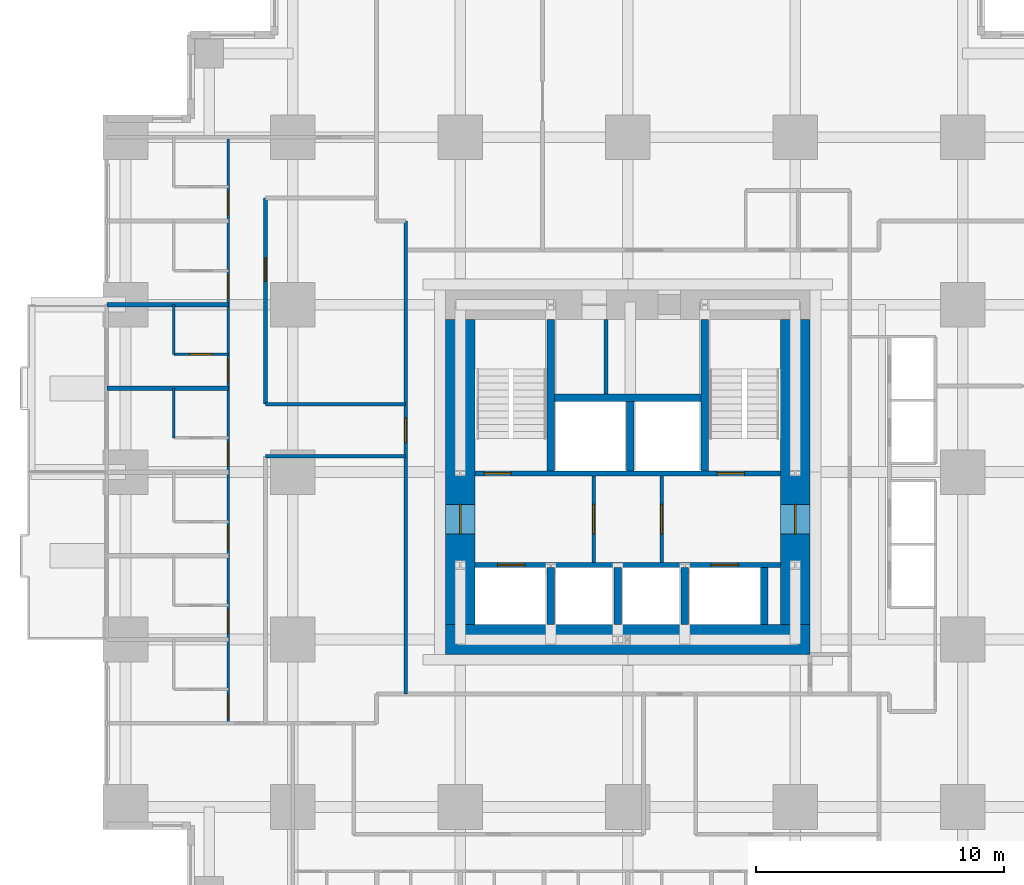
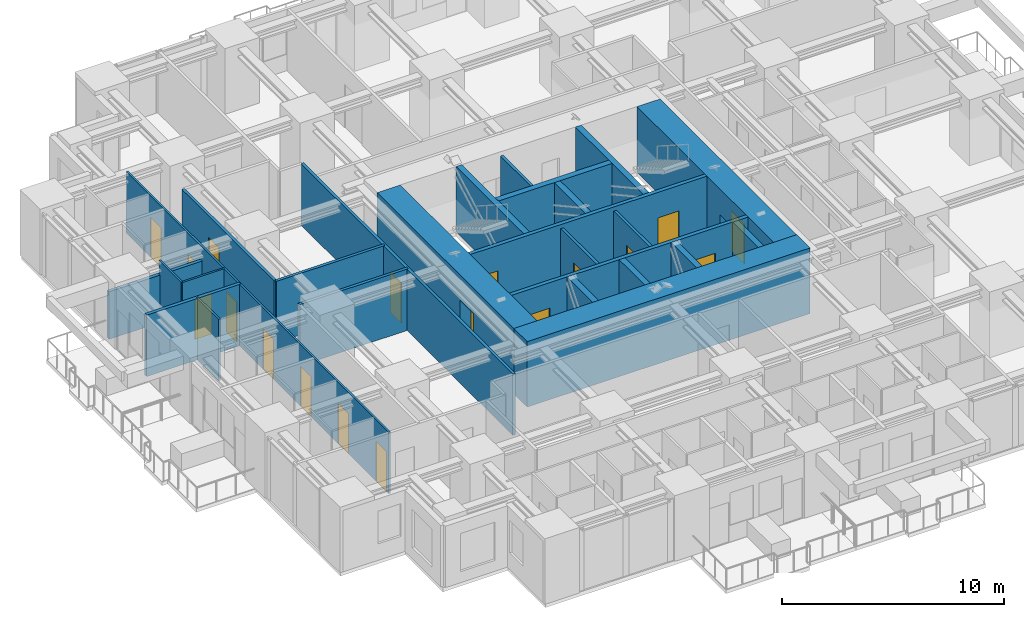
# One storey, part 8 of 13: 26 walls, 18 doors, 18 openings.
"""IFC4 building model written with IfcOpenShell, lengths in metres."""

from ifc_helpers import new_model, si_unit, direction, frame, frame_2d, origin, place, context, subcontext, project, spatial, rectangle, extrude, material, layer, layer_set, type_object, element, fill, save


model = new_model("IFC4")

# Units and contexts
model_context = context("Model", 3, precision=1e-05, world=origin(), true_north=direction((0.0, 1.0)))
body_context = subcontext(model_context, "Body", "Model", "MODEL_VIEW")
ifc_project = project(units=[si_unit("LENGTHUNIT", "METRE"), si_unit("AREAUNIT", "SQUARE_METRE"), si_unit("VOLUMEUNIT", "CUBIC_METRE"), si_unit("PLANEANGLEUNIT", "RADIAN"), si_unit("MASSUNIT", "GRAM", prefix="KILO")], contexts=[model_context])

# Site, building, storey
site_placement = place(None, origin())
site = spatial("IfcSite", under=ifc_project, at=site_placement, CompositionType="ELEMENT")
building_placement = place(site_placement, origin())
building = spatial("IfcBuilding", under=site, at=building_placement, Name="Nyansa Garden Tower", CompositionType="ELEMENT")
storey_placement = place(building_placement, frame((0.0, 0.0, 46.800048828125)))
storey = spatial("IfcBuildingStorey", under=building, at=storey_placement, Name="L12", CompositionType="ELEMENT", Elevation=46.800048828125)

# Walls
ifc_material_1 = material(Name="Dense blockwork, plastered both sides, 55 dB", Category="masonry")
ifc_layer_1 = layer(ifc_material_1, 0.175048828125)
ifc_layer_set_1 = layer_set([ifc_layer_1], Name="Acoustic party wall PW175")
wall_type_1 = type_object("IfcWallType", Name="Acoustic party wall PW175", PredefinedType="PARTITIONING", material=ifc_layer_set_1)
wall_1_placement = place(storey_placement, frame((-0.73388671875, 23.625, 0.0), z_axis=(0.0, 0.0, 1.0), x_axis=(1.0, 0.0, 0.0)))
element("IfcWall", 1, at=wall_1_placement, inside=storey, type_object=wall_type_1, Name="Party wall", PredefinedType="PARTITIONING", context=body_context, shape_type="SweptSolid", body=[
    extrude(rectangle(XDim=4.8837890625, YDim=0.175048828125, at=frame_2d((2.44189453125, 0.0))), origin(), (0.0, 0.0, 1.0), 3.375),
])
wall_2_placement = place(storey_placement, frame((-0.73388671875, 27.0, 0.0), z_axis=(0.0, 0.0, 1.0), x_axis=(1.0, 0.0, 0.0)))
element("IfcWall", 2, at=wall_2_placement, inside=storey, type_object=wall_type_1, Name="Party wall", PredefinedType="PARTITIONING", context=body_context, shape_type="SweptSolid", body=[
    extrude(rectangle(XDim=4.8837890625, YDim=0.175048828125, at=frame_2d((2.44189453125, 0.0))), origin(), (0.0, 0.0, 1.0), 2.60986328125),
])

# Wall, openings, doors
ifc_material_2 = material(Name="Concrete C70/85", Category="concrete")
ifc_layer_2 = layer(ifc_material_2, 0.199951171875)
ifc_layer_set_2 = layer_set([ifc_layer_2], Name="Core inner wall CI200")
wall_type_2 = type_object("IfcWallType", Name="Core inner wall CI200", PredefinedType="SHEAR", material=ifc_layer_set_2)
wall_3_placement = place(storey_placement, frame((14.10009765625, 16.5, 0.0), z_axis=(0.0, 0.0, 1.0), x_axis=(1.0, 0.0, 0.0)))
wall_3 = element("IfcWall", 3, at=wall_3_placement, inside=storey, type_object=wall_type_2, Name="Core inner wall L12", PredefinedType="SHEAR", context=body_context, shape_type="SweptSolid", body=[
    extrude(rectangle(XDim=12.2998046875, YDim=0.199951171875, at=frame_2d((6.14990234375, 0.0))), origin(), (0.0, 0.0, 1.0), 3.599853515625),
])
opening_1_placement = place(wall_3_placement, frame((0.89990234375, 0.0, 0.0)))
opening_1 = element("IfcOpeningElement", 4, at=opening_1_placement, cuts=wall_3, Name="Opening LD-F", PredefinedType="OPENING", context=body_context, shape_type="SweptSolid", body=[
    extrude(rectangle(XDim=1.10009765625, YDim=2.199951171875, at=frame_2d((0.550048828125, 1.10009765625))), frame((0.0, 0.10986328125, 0.0), z_axis=(0.0, -1.0, 0.0), x_axis=(1.0, 0.0, 0.0)), (0.0, 0.0, 1.0), 0.219970703125),
])
opening_2_placement = place(wall_3_placement, frame((9.5, 0.0, 0.0)))
opening_2 = element("IfcOpeningElement", 5, at=opening_2_placement, cuts=wall_3, Name="Opening LD-F", PredefinedType="OPENING", context=body_context, shape_type="SweptSolid", body=[
    extrude(rectangle(XDim=1.10009765625, YDim=2.199951171875, at=frame_2d((0.550048828125, 1.10009765625))), frame((0.0, 0.10986328125, 0.0), z_axis=(0.0, -1.0, 0.0), x_axis=(1.0, 0.0, 0.0)), (0.0, 0.0, 1.0), 0.219970703125),
])
ifc_material_3 = material(Name="Stainless steel centre-opening landing door of the firefighting lift, EN 81-72, E 120", Category="steel")
door_type_1 = type_object("IfcDoorType", Name="Lift landing door LD-F 1100x2200", OperationType="DOUBLE_DOOR_SLIDING", PredefinedType="DOOR", material=ifc_material_3)
door_1_placement = place(opening_1_placement, origin())
door_1 = element("IfcDoor", 6, at=door_1_placement, inside=storey, type_object=door_type_1, Name="Landing door FF1", OperationType="DOUBLE_DOOR_SLIDING", OverallHeight=2.199951171875, OverallWidth=1.10009765625, PredefinedType="DOOR", context=body_context, shape_type="SweptSolid", body=[
    extrude(rectangle(XDim=1.10009765625, YDim=2.199951171875, at=frame_2d((0.550048828125, 1.10009765625))), frame((0.0, 0.02490234375, 0.0), z_axis=(0.0, -1.0, 0.0), x_axis=(1.0, 0.0, 0.0)), (0.0, 0.0, 1.0), 0.050048828125),
])
fill(opening_1, door_1)
door_2_placement = place(opening_2_placement, origin())
door_2 = element("IfcDoor", 7, at=door_2_placement, inside=storey, type_object=door_type_1, Name="Landing door FF2", OperationType="DOUBLE_DOOR_SLIDING", OverallHeight=2.199951171875, OverallWidth=1.10009765625, PredefinedType="DOOR", context=body_context, shape_type="SweptSolid", body=[
    extrude(rectangle(XDim=1.10009765625, YDim=2.199951171875, at=frame_2d((0.550048828125, 1.10009765625))), frame((0.0, 0.02490234375, 0.0), z_axis=(0.0, -1.0, 0.0), x_axis=(1.0, 0.0, 0.0)), (0.0, 0.0, 1.0), 0.050048828125),
])
fill(opening_2, door_2)

wall_4_placement = place(storey_placement, frame((14.10009765625, 20.199951171875, 0.0), z_axis=(0.0, 0.0, 1.0), x_axis=(1.0, 0.0, 0.0)))
wall_4 = element("IfcWall", 8, at=wall_4_placement, inside=storey, type_object=wall_type_2, Name="Core inner wall L12", PredefinedType="SHEAR", context=body_context, shape_type="SweptSolid", body=[
    extrude(rectangle(XDim=12.2998046875, YDim=0.199951171875, at=frame_2d((6.14990234375, 0.0))), origin(), (0.0, 0.0, 1.0), 3.599853515625),
])
opening_3_placement = place(wall_4_placement, frame((0.35009765625, 0.0, 0.0)))
opening_3 = element("IfcOpeningElement", 9, at=opening_3_placement, cuts=wall_4, Name="Opening D05", PredefinedType="OPENING", context=body_context, shape_type="SweptSolid", body=[
    extrude(rectangle(XDim=1.10009765625, YDim=2.199951171875, at=frame_2d((0.550048828125, 1.10009765625))), frame((0.0, 0.10986328125, 0.0), z_axis=(0.0, -1.0, 0.0), x_axis=(1.0, 0.0, 0.0)), (0.0, 0.0, 1.0), 0.219970703125),
])
opening_4_placement = place(wall_4_placement, frame((9.75, 0.0, 0.0)))
opening_4 = element("IfcOpeningElement", 10, at=opening_4_placement, cuts=wall_4, Name="Opening D05", PredefinedType="OPENING", context=body_context, shape_type="SweptSolid", body=[
    extrude(rectangle(XDim=1.10009765625, YDim=2.199951171875, at=frame_2d((0.550048828125, 1.10009765625))), frame((0.0, 0.10986328125, 0.0), z_axis=(0.0, -1.0, 0.0), x_axis=(1.0, 0.0, 0.0)), (0.0, 0.0, 1.0), 0.219970703125),
])
ifc_material_4 = material(Name="Steel door, 120 minute fire resisting", Category="steel")
door_type_2 = type_object("IfcDoorType", Name="Stair door D05 1100x2200", OperationType="SINGLE_SWING_LEFT", PredefinedType="DOOR", material=ifc_material_4)
door_3_placement = place(opening_3_placement, origin())
door_3 = element("IfcDoor", 11, at=door_3_placement, inside=storey, type_object=door_type_2, Name="Stair S1 door", OperationType="SINGLE_SWING_LEFT", OverallHeight=2.199951171875, OverallWidth=1.10009765625, PredefinedType="DOOR", context=body_context, shape_type="SweptSolid", body=[
    extrude(rectangle(XDim=1.10009765625, YDim=2.199951171875, at=frame_2d((0.550048828125, 1.10009765625))), frame((0.0, 0.02490234375, 0.0), z_axis=(0.0, -1.0, 0.0), x_axis=(1.0, 0.0, 0.0)), (0.0, 0.0, 1.0), 0.050048828125),
])
fill(opening_3, door_3)
door_4_placement = place(opening_4_placement, origin())
door_4 = element("IfcDoor", 12, at=door_4_placement, inside=storey, type_object=door_type_2, Name="Stair S2 door", OperationType="SINGLE_SWING_LEFT", OverallHeight=2.199951171875, OverallWidth=1.10009765625, PredefinedType="DOOR", context=body_context, shape_type="SweptSolid", body=[
    extrude(rectangle(XDim=1.10009765625, YDim=2.199951171875, at=frame_2d((0.550048828125, 1.10009765625))), frame((0.0, 0.02490234375, 0.0), z_axis=(0.0, -1.0, 0.0), x_axis=(1.0, 0.0, 0.0)), (0.0, 0.0, 1.0), 0.050048828125),
])
fill(opening_4, door_4)

# Walls
ifc_material_5 = material(Name="Concrete C70/85", Category="concrete")
ifc_layer_3 = layer(ifc_material_5, 0.300048828125)
ifc_layer_set_3 = layer_set([ifc_layer_3], Name="Core inner wall CI300")
wall_type_3 = type_object("IfcWallType", Name="Core inner wall CI300", PredefinedType="SHEAR", material=ifc_layer_set_3)
for number, where, z_axis, x_axis, name in (
    (13, (17.14990234375, 20.300048828125, 0.0), (0.0, 0.0, 1.0), (0.0, 1.0, 0.0), "Core inner wall L12"),
    (14, (23.35009765625, 20.300048828125, 0.0), (0.0, 0.0, 1.0), (0.0, 1.0, 0.0), "Core inner wall L12"),
):
    element("IfcWall", number, at=place(storey_placement, frame(where, z_axis=z_axis, x_axis=x_axis)), inside=storey, type_object=wall_type_3, Name=name, PredefinedType="SHEAR", context=body_context, shape_type="SweptSolid", body=[
        extrude(rectangle(XDim=6.099853515625, YDim=0.300048828125, at=frame_2d((3.0498046875, 0.0))), origin(), (0.0, 0.0, 1.0), 3.599853515625),
    ])
wall_5_placement = place(storey_placement, frame((20.35009765625, 20.300048828125, 0.0), z_axis=(0.0, 0.0, 1.0), x_axis=(0.0, 1.0, 0.0)))
element("IfcWall", 15, at=wall_5_placement, inside=storey, type_object=wall_type_3, Name="Core inner wall L12", PredefinedType="SHEAR", context=body_context, shape_type="SweptSolid", body=[
    extrude(rectangle(XDim=2.800048828125, YDim=0.300048828125, at=frame_2d((1.39990234375, 0.0))), origin(), (0.0, 0.0, 1.0), 3.599853515625),
])
wall_6_placement = place(storey_placement, frame((17.300048828125, 23.25, 0.0), z_axis=(0.0, 0.0, 1.0), x_axis=(1.0, 0.0, 0.0)))
element("IfcWall", 16, at=wall_6_placement, inside=storey, type_object=wall_type_3, Name="Core inner wall L12", PredefinedType="SHEAR", context=body_context, shape_type="SweptSolid", body=[
    extrude(rectangle(XDim=5.89990234375, YDim=0.300048828125, at=frame_2d((2.949951171875, 0.0))), origin(), (0.0, 0.0, 1.0), 3.599853515625),
])
for number, where, z_axis, x_axis, name in (
    (17, (17.14990234375, 14.10009765625, 0.0), (0.0, 0.0, 1.0), (0.0, 1.0, 0.0), "Core inner wall L12"),
    (18, (19.85009765625, 14.10009765625, 0.0), (0.0, 0.0, 1.0), (0.0, 1.0, 0.0), "Core inner wall L12"),
    (19, (22.550048828125, 14.10009765625, 0.0), (0.0, 0.0, 1.0), (0.0, 1.0, 0.0), "Core inner wall L12"),
    (20, (25.75, 14.10009765625, 0.0), (0.0, 0.0, 1.0), (0.0, 1.0, 0.0), "Core inner wall L12"),
):
    element("IfcWall", number, at=place(storey_placement, frame(where, z_axis=z_axis, x_axis=x_axis)), inside=storey, type_object=wall_type_3, Name=name, PredefinedType="SHEAR", context=body_context, shape_type="SweptSolid", body=[
        extrude(rectangle(XDim=2.2998046875, YDim=0.300048828125, at=frame_2d((1.14990234375, 0.0))), origin(), (0.0, 0.0, 1.0), 3.599853515625),
    ])
ifc_material_6 = material(Name="Concrete C80/95", Category="concrete")
ifc_layer_4 = layer(ifc_material_6, 1.199951171875)
ifc_layer_set_4 = layer_set([ifc_layer_4], Name="Core wall CW1200")
wall_type_4 = type_object("IfcWallType", Name="Core wall CW1200", PredefinedType="SHEAR", material=ifc_layer_set_4)
wall_7_placement = place(storey_placement, frame((12.89990234375, 13.5, 0.0), z_axis=(0.0, 0.0, 1.0), x_axis=(1.0, 0.0, 0.0)))
element("IfcWall", 21, at=wall_7_placement, inside=storey, type_object=wall_type_4, Name="Core wall S L12", PredefinedType="SHEAR", context=body_context, shape_type="SweptSolid", body=[
    extrude(rectangle(XDim=14.7001953125, YDim=1.199951171875, at=frame_2d((7.35009765625, 0.0))), origin(), (0.0, 0.0, 1.0), 3.599853515625),
])

# Wall, opening, door
wall_8_placement = place(storey_placement, frame((27.0, 14.10009765625, 0.0), z_axis=(0.0, 0.0, 1.0), x_axis=(0.0, 1.0, 0.0)))
wall_8 = element("IfcWall", 22, at=wall_8_placement, inside=storey, type_object=wall_type_4, Name="Core wall E L12", PredefinedType="SHEAR", context=body_context, shape_type="SweptSolid", body=[
    extrude(rectangle(XDim=12.2998046875, YDim=1.199951171875, at=frame_2d((6.14990234375, 0.0))), origin(), (0.0, 0.0, 1.0), 3.599853515625),
])
opening_5_placement = place(wall_8_placement, frame((3.64990234375, 0.0, 0.0)))
opening_5 = element("IfcOpeningElement", 23, at=opening_5_placement, cuts=wall_8, Name="Opening D06", PredefinedType="OPENING", context=body_context, shape_type="SweptSolid", body=[
    extrude(rectangle(XDim=1.199951171875, YDim=2.199951171875, at=frame_2d((0.60009765625, 1.10009765625))), frame((0.0, 0.60986328125, 0.0), z_axis=(0.0, -1.0, 0.0), x_axis=(1.0, 0.0, 0.0)), (0.0, 0.0, 1.0), 1.219970703125),
])
ifc_material_7 = material(Name="Steel door, 120 minute fire resisting", Category="steel")
door_type_3 = type_object("IfcDoorType", Name="Lobby door D06 1200x2200", OperationType="DOUBLE_DOOR_SINGLE_SWING", PredefinedType="DOOR", material=ifc_material_7)
door_5_placement = place(opening_5_placement, origin())
door_5 = element("IfcDoor", 24, at=door_5_placement, inside=storey, type_object=door_type_3, Name="Lift lobby door east", OperationType="DOUBLE_DOOR_SINGLE_SWING", OverallHeight=2.199951171875, OverallWidth=1.199951171875, PredefinedType="DOOR", context=body_context, shape_type="SweptSolid", body=[
    extrude(rectangle(XDim=1.199951171875, YDim=2.199951171875, at=frame_2d((0.60009765625, 1.10009765625))), frame((0.0, 0.02490234375, 0.0), z_axis=(0.0, -1.0, 0.0), x_axis=(1.0, 0.0, 0.0)), (0.0, 0.0, 1.0), 0.050048828125),
])
fill(opening_5, door_5)

wall_9_placement = place(storey_placement, frame((13.5, 26.39990234375, 0.0), z_axis=(0.0, 0.0, 1.0), x_axis=(0.0, -1.0, 0.0)))
wall_9 = element("IfcWall", 25, at=wall_9_placement, inside=storey, type_object=wall_type_4, Name="Core wall W L12", PredefinedType="SHEAR", context=body_context, shape_type="SweptSolid", body=[
    extrude(rectangle(XDim=12.2998046875, YDim=1.199951171875, at=frame_2d((6.14990234375, 0.0))), origin(), (0.0, 0.0, 1.0), 3.599853515625),
])
opening_6_placement = place(wall_9_placement, frame((7.449951171875, 0.0, 0.0)))
opening_6 = element("IfcOpeningElement", 26, at=opening_6_placement, cuts=wall_9, Name="Opening D06", PredefinedType="OPENING", context=body_context, shape_type="SweptSolid", body=[
    extrude(rectangle(XDim=1.199951171875, YDim=2.199951171875, at=frame_2d((0.60009765625, 1.10009765625))), frame((0.0, 0.60986328125, 0.0), z_axis=(0.0, -1.0, 0.0), x_axis=(1.0, 0.0, 0.0)), (0.0, 0.0, 1.0), 1.219970703125),
])
door_6_placement = place(opening_6_placement, origin())
door_6 = element("IfcDoor", 27, at=door_6_placement, inside=storey, type_object=door_type_3, Name="Lift lobby door west", OperationType="DOUBLE_DOOR_SINGLE_SWING", OverallHeight=2.199951171875, OverallWidth=1.199951171875, PredefinedType="DOOR", context=body_context, shape_type="SweptSolid", body=[
    extrude(rectangle(XDim=1.199951171875, YDim=2.199951171875, at=frame_2d((0.60009765625, 1.10009765625))), frame((0.0, 0.02490234375, 0.0), z_axis=(0.0, -1.0, 0.0), x_axis=(1.0, 0.0, 0.0)), (0.0, 0.0, 1.0), 0.050048828125),
])
fill(opening_6, door_6)

ifc_material_8 = material(Name="Blockwork, plastered both sides", Category="masonry")
ifc_layer_5 = layer(ifc_material_8, 0.14990234375)
ifc_layer_set_5 = layer_set([ifc_layer_5], Name="Partition PW150")
wall_type_5 = type_object("IfcWallType", Name="Partition PW150", PredefinedType="PARTITIONING", material=ifc_layer_set_5)
wall_10_placement = place(storey_placement, frame((18.875, 16.60009765625, 0.0), z_axis=(0.0, 0.0, 1.0), x_axis=(0.0, 1.0, 0.0)))
wall_10 = element("IfcWall", 28, at=wall_10_placement, inside=storey, type_object=wall_type_5, Name="Partition", PredefinedType="PARTITIONING", context=body_context, shape_type="SweptSolid", body=[
    extrude(rectangle(XDim=3.5, YDim=0.14990234375, at=frame_2d((1.75, 0.0))), origin(), (0.0, 0.0, 1.0), 3.375),
])
opening_7_placement = place(wall_10_placement, frame((1.14990234375, 0.0, 0.0)))
opening_7 = element("IfcOpeningElement", 29, at=opening_7_placement, cuts=wall_10, Name="Opening D06", PredefinedType="OPENING", context=body_context, shape_type="SweptSolid", body=[
    extrude(rectangle(XDim=1.199951171875, YDim=2.199951171875, at=frame_2d((0.60009765625, 1.10009765625))), frame((0.0, 0.0849609375, 0.0), z_axis=(0.0, -1.0, 0.0), x_axis=(1.0, 0.0, 0.0)), (0.0, 0.0, 1.0), 0.169921875),
])
door_7_placement = place(opening_7_placement, origin())
door_7 = element("IfcDoor", 30, at=door_7_placement, inside=storey, type_object=door_type_3, Name="Passenger lift lobby door", OperationType="DOUBLE_DOOR_SINGLE_SWING", OverallHeight=2.199951171875, OverallWidth=1.199951171875, PredefinedType="DOOR", context=body_context, shape_type="SweptSolid", body=[
    extrude(rectangle(XDim=1.199951171875, YDim=2.199951171875, at=frame_2d((0.60009765625, 1.10009765625))), frame((0.0, 0.02490234375, 0.0), z_axis=(0.0, -1.0, 0.0), x_axis=(1.0, 0.0, 0.0)), (0.0, 0.0, 1.0), 0.050048828125),
])
fill(opening_7, door_7)

wall_11_placement = place(storey_placement, frame((21.625, 16.60009765625, 0.0), z_axis=(0.0, 0.0, 1.0), x_axis=(0.0, 1.0, 0.0)))
wall_11 = element("IfcWall", 31, at=wall_11_placement, inside=storey, type_object=wall_type_5, Name="Partition", PredefinedType="PARTITIONING", context=body_context, shape_type="SweptSolid", body=[
    extrude(rectangle(XDim=3.5, YDim=0.14990234375, at=frame_2d((1.75, 0.0))), origin(), (0.0, 0.0, 1.0), 3.375),
])
opening_8_placement = place(wall_11_placement, frame((1.14990234375, 0.0, 0.0)))
opening_8 = element("IfcOpeningElement", 32, at=opening_8_placement, cuts=wall_11, Name="Opening D06", PredefinedType="OPENING", context=body_context, shape_type="SweptSolid", body=[
    extrude(rectangle(XDim=1.199951171875, YDim=2.199951171875, at=frame_2d((0.60009765625, 1.10009765625))), frame((0.0, 0.0849609375, 0.0), z_axis=(0.0, -1.0, 0.0), x_axis=(1.0, 0.0, 0.0)), (0.0, 0.0, 1.0), 0.169921875),
])
door_8_placement = place(opening_8_placement, origin())
door_8 = element("IfcDoor", 33, at=door_8_placement, inside=storey, type_object=door_type_3, Name="Passenger lift lobby door", OperationType="DOUBLE_DOOR_SINGLE_SWING", OverallHeight=2.199951171875, OverallWidth=1.199951171875, PredefinedType="DOOR", context=body_context, shape_type="SweptSolid", body=[
    extrude(rectangle(XDim=1.199951171875, YDim=2.199951171875, at=frame_2d((0.60009765625, 1.10009765625))), frame((0.0, 0.02490234375, 0.0), z_axis=(0.0, -1.0, 0.0), x_axis=(1.0, 0.0, 0.0)), (0.0, 0.0, 1.0), 0.050048828125),
])
fill(opening_8, door_8)

# Walls
wall_12_placement = place(storey_placement, frame((19.375, 23.39990234375, 0.0), z_axis=(0.0, 0.0, 1.0), x_axis=(0.0, 1.0, 0.0)))
element("IfcWall", 34, at=wall_12_placement, inside=storey, type_object=wall_type_5, Name="Partition", PredefinedType="PARTITIONING", context=body_context, shape_type="SweptSolid", body=[
    extrude(rectangle(XDim=3.0, YDim=0.14990234375, at=frame_2d((1.5, 0.0))), origin(), (0.0, 0.0, 1.0), 3.375),
])
wall_13_placement = place(storey_placement, frame((5.64990234375, 20.886962890625, 0.0), z_axis=(0.0, 0.0, 1.0), x_axis=(1.0, 0.0, 0.0)))
element("IfcWall", 35, at=wall_13_placement, inside=storey, type_object=wall_type_5, Name="Partition", PredefinedType="PARTITIONING", context=body_context, shape_type="SweptSolid", body=[
    extrude(rectangle(XDim=5.650146484375, YDim=0.14990234375, at=frame_2d((2.8251953125, 0.0))), origin(), (0.0, 0.0, 1.0), 3.375),
])

# Wall, opening, door
wall_14_placement = place(storey_placement, frame((5.64990234375, 22.987548828125, 0.0), z_axis=(0.0, 0.0, 1.0), x_axis=(0.0, 1.0, 0.0)))
wall_14 = element("IfcWall", 36, at=wall_14_placement, inside=storey, type_object=wall_type_5, Name="Partition", PredefinedType="PARTITIONING", context=body_context, shape_type="SweptSolid", body=[
    extrude(rectangle(XDim=8.3125, YDim=0.14990234375, at=frame_2d((4.15625, 0.0))), origin(), (0.0, 0.0, 1.0), 3.375),
])
opening_9_placement = place(wall_14_placement, frame((4.949951171875, 0.0, 0.0)))
opening_9 = element("IfcOpeningElement", 37, at=opening_9_placement, cuts=wall_14, Name="Opening D01", PredefinedType="OPENING", context=body_context, shape_type="SweptSolid", body=[
    extrude(rectangle(XDim=0.949951171875, YDim=2.199951171875, at=frame_2d((0.47509765625, 1.10009765625))), frame((0.0, 0.0849609375, 0.0), z_axis=(0.0, -1.0, 0.0), x_axis=(1.0, 0.0, 0.0)), (0.0, 0.0, 1.0), 0.169921875),
])
ifc_material_9 = material(Name="Timber flush door, 30 minute fire resisting", Category="wood")
door_type_4 = type_object("IfcDoorType", Name="Bedroom door D01 950x2200", OperationType="SINGLE_SWING_LEFT", PredefinedType="DOOR", material=ifc_material_9)
door_9_placement = place(opening_9_placement, origin())
door_9 = element("IfcDoor", 38, at=door_9_placement, inside=storey, type_object=door_type_4, Name="Door L12-060", OperationType="SINGLE_SWING_LEFT", OverallHeight=2.199951171875, OverallWidth=0.949951171875, PredefinedType="DOOR", context=body_context, shape_type="SweptSolid", body=[
    extrude(rectangle(XDim=0.949951171875, YDim=2.199951171875, at=frame_2d((0.47509765625, 1.10009765625))), frame((0.0, 0.02490234375, 0.0), z_axis=(0.0, -1.0, 0.0), x_axis=(1.0, 0.0, 0.0)), (0.0, 0.0, 1.0), 0.050048828125),
])
fill(opening_9, door_9)

# Wall
wall_15_placement = place(storey_placement, frame((5.64990234375, 22.988037109375, 0.0), z_axis=(0.0, 0.0, 1.0), x_axis=(1.0, 0.0, 0.0)))
element("IfcWall", 39, at=wall_15_placement, inside=storey, type_object=wall_type_5, Name="Partition", PredefinedType="PARTITIONING", context=body_context, shape_type="SweptSolid", body=[
    extrude(rectangle(XDim=5.650146484375, YDim=0.14990234375, at=frame_2d((2.8251953125, 0.0))), origin(), (0.0, 0.0, 1.0), 3.375),
])

# Wall, opening, door
wall_16_placement = place(storey_placement, frame((11.300048828125, 11.300048828125, 0.0), z_axis=(0.0, 0.0, 1.0), x_axis=(0.0, 1.0, 0.0)))
wall_16 = element("IfcWall", 40, at=wall_16_placement, inside=storey, type_object=wall_type_5, Name="Partition", PredefinedType="PARTITIONING", context=body_context, shape_type="SweptSolid", body=[
    extrude(rectangle(XDim=19.074951171875, YDim=0.14990234375, at=frame_2d((9.53759765625, 0.0))), origin(), (0.0, 0.0, 1.0), 3.375),
])
opening_10_placement = place(wall_16_placement, frame((10.137451171875, 0.0, 0.0)))
opening_10 = element("IfcOpeningElement", 41, at=opening_10_placement, cuts=wall_16, Name="Opening D03", PredefinedType="OPENING", context=body_context, shape_type="SweptSolid", body=[
    extrude(rectangle(XDim=1.0, YDim=2.199951171875, at=frame_2d((0.5, 1.10009765625))), frame((0.0, 0.0849609375, 0.0), z_axis=(0.0, -1.0, 0.0), x_axis=(1.0, 0.0, 0.0)), (0.0, 0.0, 1.0), 0.169921875),
])
ifc_material_10 = material(Name="Timber flush door, 60 minute fire resisting", Category="wood")
door_type_5 = type_object("IfcDoorType", Name="Cluster entrance door D03 1000x2200", OperationType="SINGLE_SWING_LEFT", PredefinedType="DOOR", material=ifc_material_10)
door_10_placement = place(opening_10_placement, origin())
door_10 = element("IfcDoor", 42, at=door_10_placement, inside=storey, type_object=door_type_5, Name="Door L12-058", OperationType="SINGLE_SWING_LEFT", OverallHeight=2.199951171875, OverallWidth=1.0, PredefinedType="DOOR", context=body_context, shape_type="SweptSolid", body=[
    extrude(rectangle(XDim=1.0, YDim=2.199951171875, at=frame_2d((0.5, 1.10009765625))), frame((0.0, 0.02490234375, 0.0), z_axis=(0.0, -1.0, 0.0), x_axis=(1.0, 0.0, 0.0)), (0.0, 0.0, 1.0), 0.050048828125),
])
fill(opening_10, door_10)

# Walls
ifc_material_11 = material(Name="Moisture resistant board on steel studs, tiled", Category="steel")
ifc_layer_6 = layer(ifc_material_11, 0.10009765625)
ifc_layer_set_6 = layer_set([ifc_layer_6], Name="Wet wall PW100")
wall_type_6 = type_object("IfcWallType", Name="Wet wall PW100", PredefinedType="PARTITIONING", material=ifc_layer_set_6)
for number, where, z_axis, x_axis, name in (
    (43, (1.949951171875, 21.625, 0.0), (0.0, 0.0, 1.0), (0.0, 1.0, 0.0), "Wet wall"),
    (44, (1.949951171875, 25.0, 0.0), (0.0, 0.0, 1.0), (0.0, 1.0, 0.0), "Wet wall"),
):
    element("IfcWall", number, at=place(storey_placement, frame(where, z_axis=z_axis, x_axis=x_axis)), inside=storey, type_object=wall_type_6, Name=name, PredefinedType="PARTITIONING", context=body_context, shape_type="SweptSolid", body=[
        extrude(rectangle(XDim=2.0, YDim=0.10009765625, at=frame_2d((1.0, 0.0))), origin(), (0.0, 0.0, 1.0), 3.375),
    ])

# Wall, opening, door
wall_17_placement = place(storey_placement, frame((1.949951171875, 25.0, 0.0), z_axis=(0.0, 0.0, 1.0), x_axis=(1.0, 0.0, 0.0)))
wall_17 = element("IfcWall", 45, at=wall_17_placement, inside=storey, type_object=wall_type_6, Name="Wet wall", PredefinedType="PARTITIONING", context=body_context, shape_type="SweptSolid", body=[
    extrude(rectangle(XDim=2.199951171875, YDim=0.10009765625, at=frame_2d((1.10009765625, 0.0))), origin(), (0.0, 0.0, 1.0), 3.375),
])
opening_11_placement = place(wall_17_placement, frame((0.64990234375, 0.0, 0.0)))
opening_11 = element("IfcOpeningElement", 46, at=opening_11_placement, cuts=wall_17, Name="Opening D02", PredefinedType="OPENING", context=body_context, shape_type="SweptSolid", body=[
    extrude(rectangle(XDim=0.89990234375, YDim=2.199951171875, at=frame_2d((0.449951171875, 1.10009765625))), frame((0.0, 0.06005859375, 0.0), z_axis=(0.0, -1.0, 0.0), x_axis=(1.0, 0.0, 0.0)), (0.0, 0.0, 1.0), 0.1201171875),
])
ifc_material_12 = material(Name="Timber flush door", Category="wood")
door_type_6 = type_object("IfcDoorType", Name="En-suite door D02 900x2200", OperationType="SINGLE_SWING_RIGHT", PredefinedType="DOOR", material=ifc_material_12)
door_11_placement = place(opening_11_placement, origin())
door_11 = element("IfcDoor", 47, at=door_11_placement, inside=storey, type_object=door_type_6, Name="Door L12-052", OperationType="SINGLE_SWING_RIGHT", OverallHeight=2.199951171875, OverallWidth=0.89990234375, PredefinedType="DOOR", context=body_context, shape_type="SweptSolid", body=[
    extrude(rectangle(XDim=0.89990234375, YDim=2.199951171875, at=frame_2d((0.449951171875, 1.10009765625))), frame((0.0, 0.02490234375, 0.0), z_axis=(0.0, -1.0, 0.0), x_axis=(1.0, 0.0, 0.0)), (0.0, 0.0, 1.0), 0.050048828125),
])
fill(opening_11, door_11)

# Wall, openings, doors
wall_18_placement = place(storey_placement, frame((4.14990234375, 10.125, 0.0), z_axis=(0.0, 0.0, 1.0), x_axis=(0.0, 1.0, 0.0)))
wall_18 = element("IfcWall", 48, at=wall_18_placement, inside=storey, type_object=wall_type_6, Name="Wet wall", PredefinedType="PARTITIONING", context=body_context, shape_type="SweptSolid", body=[
    extrude(rectangle(XDim=23.625, YDim=0.10009765625, at=frame_2d((11.8125, 0.0))), origin(), (0.0, 0.0, 1.0), 3.375),
])
opening_12_placement = place(wall_18_placement, frame((0.199951171875, 0.0, 0.0)))
opening_12 = element("IfcOpeningElement", 49, at=opening_12_placement, cuts=wall_18, Name="Opening D01", PredefinedType="OPENING", context=body_context, shape_type="SweptSolid", body=[
    extrude(rectangle(XDim=0.949951171875, YDim=2.199951171875, at=frame_2d((0.47509765625, 1.10009765625))), frame((0.0, 0.06005859375, 0.0), z_axis=(0.0, -1.0, 0.0), x_axis=(1.0, 0.0, 0.0)), (0.0, 0.0, 1.0), 0.1201171875),
])
opening_13_placement = place(wall_18_placement, frame((3.625, 0.0, 0.0)))
opening_13 = element("IfcOpeningElement", 50, at=opening_13_placement, cuts=wall_18, Name="Opening D01", PredefinedType="OPENING", context=body_context, shape_type="SweptSolid", body=[
    extrude(rectangle(XDim=0.949951171875, YDim=2.199951171875, at=frame_2d((0.47509765625, 1.10009765625))), frame((0.0, 0.06005859375, 0.0), z_axis=(0.0, -1.0, 0.0), x_axis=(1.0, 0.0, 0.0)), (0.0, 0.0, 1.0), 0.1201171875),
])
opening_14_placement = place(wall_18_placement, frame((7.0, 0.0, 0.0)))
opening_14 = element("IfcOpeningElement", 51, at=opening_14_placement, cuts=wall_18, Name="Opening D01", PredefinedType="OPENING", context=body_context, shape_type="SweptSolid", body=[
    extrude(rectangle(XDim=0.949951171875, YDim=2.199951171875, at=frame_2d((0.47509765625, 1.10009765625))), frame((0.0, 0.06005859375, 0.0), z_axis=(0.0, -1.0, 0.0), x_axis=(1.0, 0.0, 0.0)), (0.0, 0.0, 1.0), 0.1201171875),
])
opening_15_placement = place(wall_18_placement, frame((10.375, 0.0, 0.0)))
opening_15 = element("IfcOpeningElement", 52, at=opening_15_placement, cuts=wall_18, Name="Opening D01", PredefinedType="OPENING", context=body_context, shape_type="SweptSolid", body=[
    extrude(rectangle(XDim=0.949951171875, YDim=2.199951171875, at=frame_2d((0.47509765625, 1.10009765625))), frame((0.0, 0.06005859375, 0.0), z_axis=(0.0, -1.0, 0.0), x_axis=(1.0, 0.0, 0.0)), (0.0, 0.0, 1.0), 0.1201171875),
])
opening_16_placement = place(wall_18_placement, frame((13.75, 0.0, 0.0)))
opening_16 = element("IfcOpeningElement", 53, at=opening_16_placement, cuts=wall_18, Name="Opening D01", PredefinedType="OPENING", context=body_context, shape_type="SweptSolid", body=[
    extrude(rectangle(XDim=0.949951171875, YDim=2.199951171875, at=frame_2d((0.47509765625, 1.10009765625))), frame((0.0, 0.06005859375, 0.0), z_axis=(0.0, -1.0, 0.0), x_axis=(1.0, 0.0, 0.0)), (0.0, 0.0, 1.0), 0.1201171875),
])
opening_17_placement = place(wall_18_placement, frame((17.125, 0.0, 0.0)))
opening_17 = element("IfcOpeningElement", 54, at=opening_17_placement, cuts=wall_18, Name="Opening D01", PredefinedType="OPENING", context=body_context, shape_type="SweptSolid", body=[
    extrude(rectangle(XDim=0.949951171875, YDim=2.199951171875, at=frame_2d((0.47509765625, 1.10009765625))), frame((0.0, 0.06005859375, 0.0), z_axis=(0.0, -1.0, 0.0), x_axis=(1.0, 0.0, 0.0)), (0.0, 0.0, 1.0), 0.1201171875),
])
opening_18_placement = place(wall_18_placement, frame((20.5, 0.0, 0.0)))
opening_18 = element("IfcOpeningElement", 55, at=opening_18_placement, cuts=wall_18, Name="Opening D01", PredefinedType="OPENING", context=body_context, shape_type="SweptSolid", body=[
    extrude(rectangle(XDim=0.949951171875, YDim=2.199951171875, at=frame_2d((0.47509765625, 1.10009765625))), frame((0.0, 0.06005859375, 0.0), z_axis=(0.0, -1.0, 0.0), x_axis=(1.0, 0.0, 0.0)), (0.0, 0.0, 1.0), 0.1201171875),
])
door_12_placement = place(opening_12_placement, origin())
door_12 = element("IfcDoor", 56, at=door_12_placement, inside=storey, type_object=door_type_4, Name="Door L12-043", OperationType="SINGLE_SWING_LEFT", OverallHeight=2.199951171875, OverallWidth=0.949951171875, PredefinedType="DOOR", context=body_context, shape_type="SweptSolid", body=[
    extrude(rectangle(XDim=0.949951171875, YDim=2.199951171875, at=frame_2d((0.47509765625, 1.10009765625))), frame((0.0, 0.02490234375, 0.0), z_axis=(0.0, -1.0, 0.0), x_axis=(1.0, 0.0, 0.0)), (0.0, 0.0, 1.0), 0.050048828125),
])
fill(opening_12, door_12)
door_13_placement = place(opening_13_placement, origin())
door_13 = element("IfcDoor", 57, at=door_13_placement, inside=storey, type_object=door_type_4, Name="Door L12-045", OperationType="SINGLE_SWING_LEFT", OverallHeight=2.199951171875, OverallWidth=0.949951171875, PredefinedType="DOOR", context=body_context, shape_type="SweptSolid", body=[
    extrude(rectangle(XDim=0.949951171875, YDim=2.199951171875, at=frame_2d((0.47509765625, 1.10009765625))), frame((0.0, 0.02490234375, 0.0), z_axis=(0.0, -1.0, 0.0), x_axis=(1.0, 0.0, 0.0)), (0.0, 0.0, 1.0), 0.050048828125),
])
fill(opening_13, door_13)
door_14_placement = place(opening_14_placement, origin())
door_14 = element("IfcDoor", 58, at=door_14_placement, inside=storey, type_object=door_type_4, Name="Door L12-047", OperationType="SINGLE_SWING_LEFT", OverallHeight=2.199951171875, OverallWidth=0.949951171875, PredefinedType="DOOR", context=body_context, shape_type="SweptSolid", body=[
    extrude(rectangle(XDim=0.949951171875, YDim=2.199951171875, at=frame_2d((0.47509765625, 1.10009765625))), frame((0.0, 0.02490234375, 0.0), z_axis=(0.0, -1.0, 0.0), x_axis=(1.0, 0.0, 0.0)), (0.0, 0.0, 1.0), 0.050048828125),
])
fill(opening_14, door_14)
door_15_placement = place(opening_15_placement, origin())
door_15 = element("IfcDoor", 59, at=door_15_placement, inside=storey, type_object=door_type_4, Name="Door L12-049", OperationType="SINGLE_SWING_LEFT", OverallHeight=2.199951171875, OverallWidth=0.949951171875, PredefinedType="DOOR", context=body_context, shape_type="SweptSolid", body=[
    extrude(rectangle(XDim=0.949951171875, YDim=2.199951171875, at=frame_2d((0.47509765625, 1.10009765625))), frame((0.0, 0.02490234375, 0.0), z_axis=(0.0, -1.0, 0.0), x_axis=(1.0, 0.0, 0.0)), (0.0, 0.0, 1.0), 0.050048828125),
])
fill(opening_15, door_15)
door_16_placement = place(opening_16_placement, origin())
door_16 = element("IfcDoor", 60, at=door_16_placement, inside=storey, type_object=door_type_4, Name="Door L12-051", OperationType="SINGLE_SWING_LEFT", OverallHeight=2.199951171875, OverallWidth=0.949951171875, PredefinedType="DOOR", context=body_context, shape_type="SweptSolid", body=[
    extrude(rectangle(XDim=0.949951171875, YDim=2.199951171875, at=frame_2d((0.47509765625, 1.10009765625))), frame((0.0, 0.02490234375, 0.0), z_axis=(0.0, -1.0, 0.0), x_axis=(1.0, 0.0, 0.0)), (0.0, 0.0, 1.0), 0.050048828125),
])
fill(opening_16, door_16)
door_17_placement = place(opening_17_placement, origin())
door_17 = element("IfcDoor", 61, at=door_17_placement, inside=storey, type_object=door_type_4, Name="Door L12-053", OperationType="SINGLE_SWING_LEFT", OverallHeight=2.199951171875, OverallWidth=0.949951171875, PredefinedType="DOOR", context=body_context, shape_type="SweptSolid", body=[
    extrude(rectangle(XDim=0.949951171875, YDim=2.199951171875, at=frame_2d((0.47509765625, 1.10009765625))), frame((0.0, 0.02490234375, 0.0), z_axis=(0.0, -1.0, 0.0), x_axis=(1.0, 0.0, 0.0)), (0.0, 0.0, 1.0), 0.050048828125),
])
fill(opening_17, door_17)
door_18_placement = place(opening_18_placement, origin())
door_18 = element("IfcDoor", 62, at=door_18_placement, inside=storey, type_object=door_type_4, Name="Door L12-055", OperationType="SINGLE_SWING_LEFT", OverallHeight=2.199951171875, OverallWidth=0.949951171875, PredefinedType="DOOR", context=body_context, shape_type="SweptSolid", body=[
    extrude(rectangle(XDim=0.949951171875, YDim=2.199951171875, at=frame_2d((0.47509765625, 1.10009765625))), frame((0.0, 0.02490234375, 0.0), z_axis=(0.0, -1.0, 0.0), x_axis=(1.0, 0.0, 0.0)), (0.0, 0.0, 1.0), 0.050048828125),
])
fill(opening_18, door_18)

save(model, "model.ifc")
